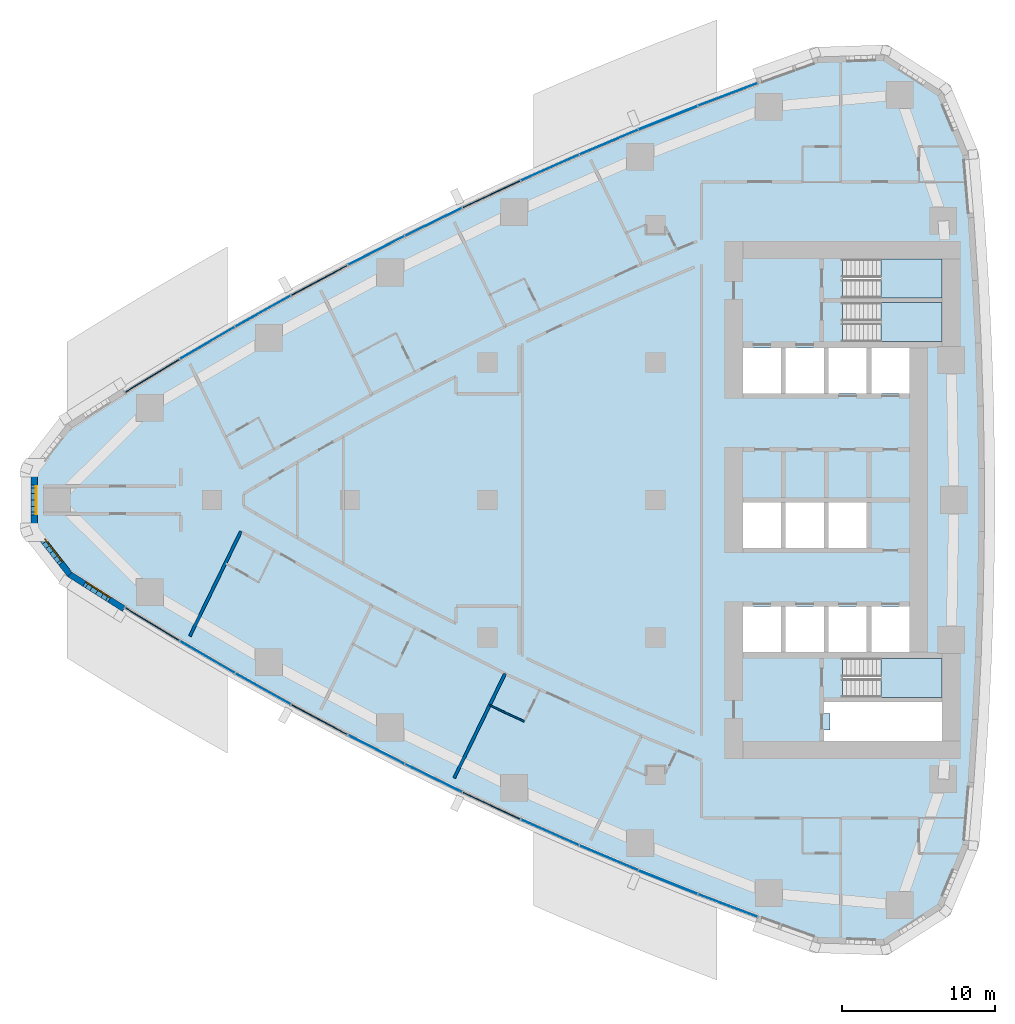
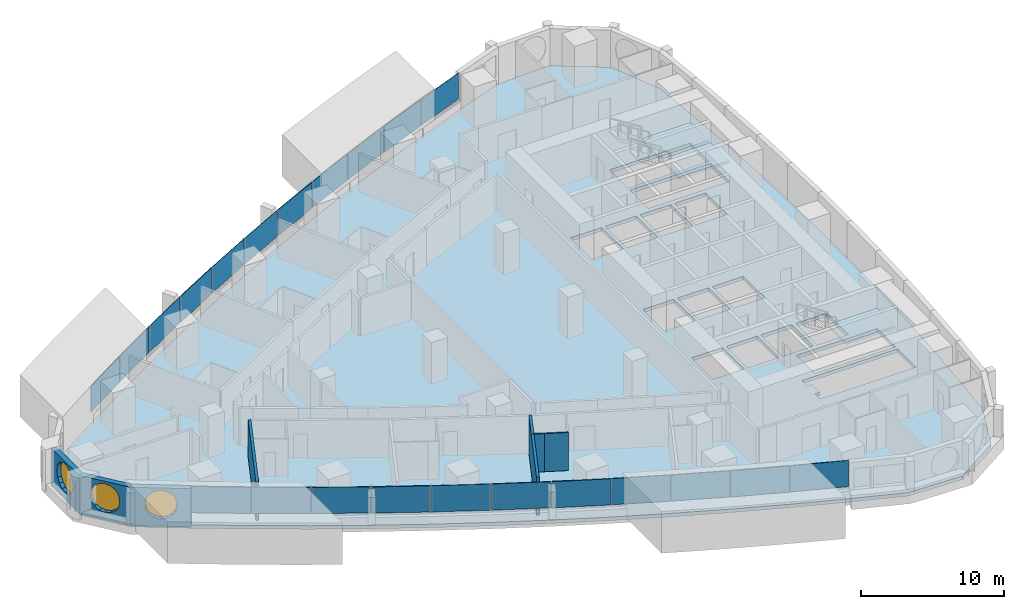
# One storey, part 8 of 19: 22 plates, 7 walls, 4 slabs, 3 windows, 4 openings, 13 elements without a shape of their own.
"""IFC4 building model written with IfcOpenShell, lengths in metres."""

from ifc_helpers import new_model, si_unit, direction, frame, frame_2d, origin, origin_2d, place, context, subcontext, project, spatial, polyline, rectangle, outline, extrude, material, layer, layer_set, type_object, element, fill, aggregate, save


model = new_model("IFC4")

# Units and contexts
model_context = context("Model", 3, precision=1e-05, world=origin(), true_north=direction((0.0, 1.0)))
body_context = subcontext(model_context, "Body", "Model", "MODEL_VIEW")
ifc_project = project(units=[si_unit("LENGTHUNIT", "METRE"), si_unit("AREAUNIT", "SQUARE_METRE"), si_unit("VOLUMEUNIT", "CUBIC_METRE"), si_unit("PLANEANGLEUNIT", "RADIAN"), si_unit("MASSUNIT", "GRAM", prefix="KILO")], contexts=[model_context])

# Site, building, storey
site_placement = place(None, origin())
site = spatial("IfcSite", under=ifc_project, at=site_placement, CompositionType="ELEMENT")
building_placement = place(site_placement, origin())
building = spatial("IfcBuilding", under=site, at=building_placement, Name="Ostrand Prow Hotel Tower", CompositionType="ELEMENT")
storey_placement = place(building_placement, frame((0.0, 0.0, 60.89990234375)))
storey = spatial("IfcBuildingStorey", under=building, at=storey_placement, Name="L13", CompositionType="ELEMENT", Elevation=60.89990234375)

# Curtain wall, plate
ifc_material_1 = material(Name="Insulated glass in bronze anodised frame", Category="glass")
ifc_layer_1 = layer(ifc_material_1, 0.199951171875)
ifc_layer_set_1 = layer_set([ifc_layer_1], Name="Insulated glass in bronze anodised frame")
curtain_wall_type = type_object("IfcCurtainWallType", Name="Strip curtain wall, fritted glass over bronze spandrel", PredefinedType="NOTDEFINED", material=ifc_layer_set_1)
curtain_wall_1_placement = place(storey_placement, origin())
curtain_wall_1 = element("IfcCurtainWall", 1, at=curtain_wall_1_placement, inside=storey, type_object=curtain_wall_type, Name="CW1 run CWS1", PredefinedType="NOTDEFINED")
ifc_material_2 = material(Name="Ceramic-fritted glass", Category="glass")
ifc_layer_2 = layer(ifc_material_2, 0.031982421875)
ifc_layer_set_2 = layer_set([ifc_layer_2], Name="Ceramic-fritted glass")
plate_type_1 = type_object("IfcPlateType", Name="Dot-fritted ceramic glass unit 32 mm", PredefinedType="CURTAIN_PANEL", material=ifc_layer_set_2)
plate_1_placement = place(storey_placement, frame((15.688720703125, -10.268798828125, 1.02001953125), z_axis=(0.0, 0.0, 1.0), x_axis=(0.863690392896, -0.50402272292, 0.0)))
plate_1 = element("IfcPlate", 2, at=plate_1_placement, type_object=plate_type_1, Name="CW1 PN-D panel 2.2", PredefinedType="CURTAIN_PANEL", context=body_context, shape_type="SweptSolid", body=[
    extrude(rectangle(XDim=4.13427734375, YDim=0.031982421875, at=origin_2d()), origin(), (0.0, 0.0, 1.0), 2.22998046875),
])

# Curtain wall, plates
curtain_wall_2_placement = place(storey_placement, origin())
curtain_wall_2 = element("IfcCurtainWall", 3, at=curtain_wall_2_placement, inside=storey, type_object=curtain_wall_type, Name="CW1 run CWS2", PredefinedType="NOTDEFINED")
plate_2_placement = place(storey_placement, frame((19.33056640625, -12.349365234375, 1.02001953125), z_axis=(0.0, 0.0, 1.0), x_axis=(0.872819029241, -0.488043996167, 0.0)))
plate_2 = element("IfcPlate", 4, at=plate_2_placement, type_object=plate_type_1, Name="CW1 PN-D panel 1.2", PredefinedType="CURTAIN_PANEL", context=body_context, shape_type="SweptSolid", body=[
    extrude(rectangle(XDim=4.13427734375, YDim=0.031982421875, at=origin_2d()), origin(), (0.0, 0.0, 1.0), 2.22998046875),
])
plate_3_placement = place(storey_placement, frame((26.7255859375, -16.3076171875, 1.02001953125), z_axis=(0.0, 0.0, 1.0), x_axis=(0.890186565631, -0.455596179055, 0.0)))
plate_3 = element("IfcPlate", 5, at=plate_3_placement, type_object=plate_type_1, Name="CW1 PN-D panel 3.2", PredefinedType="CURTAIN_PANEL", context=body_context, shape_type="SweptSolid", body=[
    extrude(rectangle(XDim=4.13427734375, YDim=0.031982421875, at=origin_2d()), origin(), (0.0, 0.0, 1.0), 2.22998046875),
])

# Curtain wall, plate
curtain_wall_3_placement = place(storey_placement, origin())
curtain_wall_3 = element("IfcCurtainWall", 6, at=curtain_wall_3_placement, inside=storey, type_object=curtain_wall_type, Name="CW1 run CWS3", PredefinedType="NOTDEFINED")
plate_4_placement = place(storey_placement, frame((30.4765625, -18.183837890625, 1.02001953125), z_axis=(0.0, 0.0, 1.0), x_axis=(0.898419584131, -0.439138077204, 0.0)))
plate_4 = element("IfcPlate", 7, at=plate_4_placement, type_object=plate_type_1, Name="CW1 PN-D panel 1.2", PredefinedType="CURTAIN_PANEL", context=body_context, shape_type="SweptSolid", body=[
    extrude(rectangle(XDim=4.13427734375, YDim=0.031982421875, at=origin_2d()), origin(), (0.0, 0.0, 1.0), 2.22998046875),
])

# Curtain wall, plates
curtain_wall_4_placement = place(storey_placement, origin())
curtain_wall_4 = element("IfcCurtainWall", 8, at=curtain_wall_4_placement, inside=storey, type_object=curtain_wall_type, Name="CW1 run CWS4", PredefinedType="NOTDEFINED")
plate_5_placement = place(storey_placement, frame((38.078857421875, -21.72802734375, 1.02001953125), z_axis=(0.0, 0.0, 1.0), x_axis=(0.913970890274, -0.405779757666, 0.0)))
plate_5 = element("IfcPlate", 9, at=plate_5_placement, type_object=plate_type_1, Name="CW1 PN-D panel 1.2", PredefinedType="CURTAIN_PANEL", context=body_context, shape_type="SweptSolid", body=[
    extrude(rectangle(XDim=4.13427734375, YDim=0.031982421875, at=origin_2d()), origin(), (0.0, 0.0, 1.0), 2.22998046875),
])
plate_6_placement = place(storey_placement, frame((41.927490234375, -23.39453125, 1.02001953125), z_axis=(0.0, 0.0, 1.0), x_axis=(0.921283173987, -0.388892418709, 0.0)))
plate_6 = element("IfcPlate", 10, at=plate_6_placement, type_object=plate_type_1, Name="CW1 PN-D panel 2.2", PredefinedType="CURTAIN_PANEL", context=body_context, shape_type="SweptSolid", body=[
    extrude(rectangle(XDim=4.13427734375, YDim=0.031982421875, at=origin_2d()), origin(), (0.0, 0.0, 1.0), 2.22998046875),
])
aggregate(curtain_wall_4, [plate_5, plate_6])

# Curtain wall, plate
curtain_wall_5_placement = place(storey_placement, origin())
curtain_wall_5 = element("IfcCurtainWall", 11, at=curtain_wall_5_placement, inside=storey, type_object=curtain_wall_type, Name="CW1 run CWS5", PredefinedType="NOTDEFINED")
plate_7_placement = place(storey_placement, frame((49.7138671875, -26.513671875, 1.02001953125), z_axis=(0.0, 0.0, 1.0), x_axis=(0.934969388384, -0.354728407072, 0.0)))
plate_7 = element("IfcPlate", 12, at=plate_7_placement, type_object=plate_type_1, Name="CW1 PN-D panel 2.2", PredefinedType="CURTAIN_PANEL", context=body_context, shape_type="SweptSolid", body=[
    extrude(rectangle(XDim=4.13427734375, YDim=0.031982421875, at=origin_2d()), origin(), (0.0, 0.0, 1.0), 2.22998046875),
])

curtain_wall_6_placement = place(storey_placement, origin())
curtain_wall_6 = element("IfcCurtainWall", 13, at=curtain_wall_6_placement, inside=storey, type_object=curtain_wall_type, Name="CW1 run CWN1", PredefinedType="NOTDEFINED")
plate_8_placement = place(storey_placement, frame((49.7138671875, 26.513671875, 1.02001953125), z_axis=(0.0, 0.0, 1.0), x_axis=(-0.934969388384, -0.354728407072, 0.0)))
plate_8 = element("IfcPlate", 14, at=plate_8_placement, type_object=plate_type_1, Name="CW1 PN-D panel 1.2", PredefinedType="CURTAIN_PANEL", context=body_context, shape_type="SweptSolid", body=[
    extrude(rectangle(XDim=4.13427734375, YDim=0.031982421875, at=origin_2d()), origin(), (0.0, 0.0, 1.0), 2.22998046875),
])

# Curtain wall, plates
curtain_wall_7_placement = place(storey_placement, origin())
curtain_wall_7 = element("IfcCurtainWall", 15, at=curtain_wall_7_placement, inside=storey, type_object=curtain_wall_type, Name="CW1 run CWN2", PredefinedType="NOTDEFINED")
plate_9_placement = place(storey_placement, frame((41.927490234375, 23.39453125, 1.02001953125), z_axis=(0.0, 0.0, 1.0), x_axis=(-0.921283173987, -0.388892418709, 0.0)))
plate_9 = element("IfcPlate", 16, at=plate_9_placement, type_object=plate_type_1, Name="CW1 PN-D panel 1.2", PredefinedType="CURTAIN_PANEL", context=body_context, shape_type="SweptSolid", body=[
    extrude(rectangle(XDim=4.13427734375, YDim=0.031982421875, at=origin_2d()), origin(), (0.0, 0.0, 1.0), 2.22998046875),
])
plate_10_placement = place(storey_placement, frame((38.078857421875, 21.72802734375, 1.02001953125), z_axis=(0.0, 0.0, 1.0), x_axis=(-0.913970890274, -0.405779757666, 0.0)))
plate_10 = element("IfcPlate", 17, at=plate_10_placement, type_object=plate_type_1, Name="CW1 PN-D panel 2.2", PredefinedType="CURTAIN_PANEL", context=body_context, shape_type="SweptSolid", body=[
    extrude(rectangle(XDim=4.13427734375, YDim=0.031982421875, at=origin_2d()), origin(), (0.0, 0.0, 1.0), 2.22998046875),
])
aggregate(curtain_wall_7, [plate_9, plate_10])

# Curtain wall, plate
curtain_wall_8_placement = place(storey_placement, origin())
curtain_wall_8 = element("IfcCurtainWall", 18, at=curtain_wall_8_placement, inside=storey, type_object=curtain_wall_type, Name="CW1 run CWN3", PredefinedType="NOTDEFINED")
plate_11_placement = place(storey_placement, frame((30.4765625, 18.183837890625, 1.02001953125), z_axis=(0.0, 0.0, 1.0), x_axis=(-0.898419584131, -0.439138077204, 0.0)))
plate_11 = element("IfcPlate", 19, at=plate_11_placement, type_object=plate_type_1, Name="CW1 PN-D panel 2.2", PredefinedType="CURTAIN_PANEL", context=body_context, shape_type="SweptSolid", body=[
    extrude(rectangle(XDim=4.13427734375, YDim=0.031982421875, at=origin_2d()), origin(), (0.0, 0.0, 1.0), 2.22998046875),
])

# Curtain wall, plates
curtain_wall_9_placement = place(storey_placement, origin())
curtain_wall_9 = element("IfcCurtainWall", 20, at=curtain_wall_9_placement, inside=storey, type_object=curtain_wall_type, Name="CW1 run CWN4", PredefinedType="NOTDEFINED")
plate_12_placement = place(storey_placement, frame((26.7255859375, 16.3076171875, 1.02001953125), z_axis=(0.0, 0.0, 1.0), x_axis=(-0.890186565631, -0.455596179055, 0.0)))
plate_12 = element("IfcPlate", 21, at=plate_12_placement, type_object=plate_type_1, Name="CW1 PN-D panel 1.2", PredefinedType="CURTAIN_PANEL", context=body_context, shape_type="SweptSolid", body=[
    extrude(rectangle(XDim=4.13427734375, YDim=0.031982421875, at=origin_2d()), origin(), (0.0, 0.0, 1.0), 2.22998046875),
])
plate_13_placement = place(storey_placement, frame((19.33056640625, 12.349365234375, 1.02001953125), z_axis=(0.0, 0.0, 1.0), x_axis=(-0.872819029241, -0.488043996167, 0.0)))
plate_13 = element("IfcPlate", 22, at=plate_13_placement, type_object=plate_type_1, Name="CW1 PN-D panel 3.2", PredefinedType="CURTAIN_PANEL", context=body_context, shape_type="SweptSolid", body=[
    extrude(rectangle(XDim=4.13427734375, YDim=0.031982421875, at=origin_2d()), origin(), (0.0, 0.0, 1.0), 2.22998046875),
])

# Curtain wall, plate
curtain_wall_10_placement = place(storey_placement, origin())
curtain_wall_10 = element("IfcCurtainWall", 23, at=curtain_wall_10_placement, inside=storey, type_object=curtain_wall_type, Name="CW1 run CWN5", PredefinedType="NOTDEFINED")
plate_14_placement = place(storey_placement, frame((15.688720703125, 10.268798828125, 1.02001953125), z_axis=(0.0, 0.0, 1.0), x_axis=(-0.863690392896, -0.50402272292, 0.0)))
plate_14 = element("IfcPlate", 24, at=plate_14_placement, type_object=plate_type_1, Name="CW1 PN-D panel 1.2", PredefinedType="CURTAIN_PANEL", context=body_context, shape_type="SweptSolid", body=[
    extrude(rectangle(XDim=4.13427734375, YDim=0.031982421875, at=origin_2d()), origin(), (0.0, 0.0, 1.0), 2.22998046875),
])

# Plate
ifc_material_3 = material(Name="Fritted glass in bronze vent frame", Category="glass")
ifc_layer_3 = layer(ifc_material_3, 0.06005859375)
ifc_layer_set_3 = layer_set([ifc_layer_3], Name="Fritted glass in bronze vent frame")
plate_type_2 = type_object("IfcPlateType", Name="Operable vent panel 60 mm", PredefinedType="CURTAIN_PANEL", material=ifc_layer_set_3)
plate_15_placement = place(storey_placement, frame((12.0859375, -8.12158203125, 1.02001953125), z_axis=(0.0, 0.0, 1.0), x_axis=(0.854269266322, -0.519830761515, 0.0)))
plate_15 = element("IfcPlate", 25, at=plate_15_placement, type_object=plate_type_2, Name="CW1 PN-O panel 1.2", PredefinedType="CURTAIN_PANEL", context=body_context, shape_type="SweptSolid", body=[
    extrude(rectangle(XDim=4.13427734375, YDim=0.06005859375, at=origin_2d()), origin(), (0.0, 0.0, 1.0), 2.22998046875),
])

aggregate(curtain_wall_1, [plate_15, plate_1])

plate_16_placement = place(storey_placement, frame((23.009765625, -14.362548828125, 1.02001953125), z_axis=(0.0, 0.0, 1.0), x_axis=(0.881652083929, -0.471899992481, 0.0)))
plate_16 = element("IfcPlate", 26, at=plate_16_placement, type_object=plate_type_2, Name="CW1 PN-O panel 2.2", PredefinedType="CURTAIN_PANEL", context=body_context, shape_type="SweptSolid", body=[
    extrude(rectangle(XDim=4.13427734375, YDim=0.06005859375, at=origin_2d()), origin(), (0.0, 0.0, 1.0), 2.22998046875),
])

aggregate(curtain_wall_2, [plate_2, plate_16, plate_3])

plate_17_placement = place(storey_placement, frame((34.26123046875, -19.990966796875, 1.02001953125), z_axis=(0.0, 0.0, 1.0), x_axis=(0.906349088757, -0.422529678615, 0.0)))
plate_17 = element("IfcPlate", 27, at=plate_17_placement, type_object=plate_type_2, Name="CW1 PN-O panel 2.2", PredefinedType="CURTAIN_PANEL", context=body_context, shape_type="SweptSolid", body=[
    extrude(rectangle(XDim=4.13427734375, YDim=0.06005859375, at=origin_2d()), origin(), (0.0, 0.0, 1.0), 2.22998046875),
])

aggregate(curtain_wall_3, [plate_4, plate_17])

plate_18_placement = place(storey_placement, frame((45.806396484375, -24.989990234375, 1.02001953125), z_axis=(0.0, 0.0, 1.0), x_axis=(0.928283463577, -0.371873380669, 0.0)))
plate_18 = element("IfcPlate", 28, at=plate_18_placement, type_object=plate_type_2, Name="CW1 PN-O panel 1.2", PredefinedType="CURTAIN_PANEL", context=body_context, shape_type="SweptSolid", body=[
    extrude(rectangle(XDim=4.13427734375, YDim=0.06005859375, at=origin_2d()), origin(), (0.0, 0.0, 1.0), 2.22998046875),
])

aggregate(curtain_wall_5, [plate_18, plate_7])

plate_19_placement = place(storey_placement, frame((45.806396484375, 24.989990234375, 1.02001953125), z_axis=(0.0, 0.0, 1.0), x_axis=(-0.928283463577, -0.371873380669, 0.0)))
plate_19 = element("IfcPlate", 29, at=plate_19_placement, type_object=plate_type_2, Name="CW1 PN-O panel 2.2", PredefinedType="CURTAIN_PANEL", context=body_context, shape_type="SweptSolid", body=[
    extrude(rectangle(XDim=4.13427734375, YDim=0.06005859375, at=origin_2d()), origin(), (0.0, 0.0, 1.0), 2.22998046875),
])

aggregate(curtain_wall_6, [plate_8, plate_19])

plate_20_placement = place(storey_placement, frame((34.26123046875, 19.990966796875, 1.02001953125), z_axis=(0.0, 0.0, 1.0), x_axis=(-0.906349088757, -0.422529678615, 0.0)))
plate_20 = element("IfcPlate", 30, at=plate_20_placement, type_object=plate_type_2, Name="CW1 PN-O panel 1.2", PredefinedType="CURTAIN_PANEL", context=body_context, shape_type="SweptSolid", body=[
    extrude(rectangle(XDim=4.13427734375, YDim=0.06005859375, at=origin_2d()), origin(), (0.0, 0.0, 1.0), 2.22998046875),
])

aggregate(curtain_wall_8, [plate_20, plate_11])

plate_21_placement = place(storey_placement, frame((23.009765625, 14.362548828125, 1.02001953125), z_axis=(0.0, 0.0, 1.0), x_axis=(-0.881652083929, -0.471899992481, 0.0)))
plate_21 = element("IfcPlate", 31, at=plate_21_placement, type_object=plate_type_2, Name="CW1 PN-O panel 2.2", PredefinedType="CURTAIN_PANEL", context=body_context, shape_type="SweptSolid", body=[
    extrude(rectangle(XDim=4.13427734375, YDim=0.06005859375, at=origin_2d()), origin(), (0.0, 0.0, 1.0), 2.22998046875),
])

aggregate(curtain_wall_9, [plate_12, plate_21, plate_13])

plate_22_placement = place(storey_placement, frame((12.0859375, 8.12158203125, 1.02001953125), z_axis=(0.0, 0.0, 1.0), x_axis=(-0.854269266322, -0.519830761515, 0.0)))
plate_22 = element("IfcPlate", 32, at=plate_22_placement, type_object=plate_type_2, Name="CW1 PN-O panel 2.2", PredefinedType="CURTAIN_PANEL", context=body_context, shape_type="SweptSolid", body=[
    extrude(rectangle(XDim=4.13427734375, YDim=0.06005859375, at=origin_2d()), origin(), (0.0, 0.0, 1.0), 2.22998046875),
])

aggregate(curtain_wall_10, [plate_14, plate_22])

# Slab, opening
ifc_material_4 = material(Name="Concrete C40/50", Category="concrete")
ifc_layer_4 = layer(ifc_material_4, 0.300048828125)
ifc_layer_set_4 = layer_set([ifc_layer_4], Name="Concrete C40/50")
slab_type_1 = type_object("IfcSlabType", Name="PT flat plate 300 C40/50", PredefinedType="FLOOR", material=ifc_layer_set_4)
slab_1_placement = place(storey_placement, frame((0.0, 0.0, -0.2998046875)))
slab_1 = element("IfcSlab", 33, at=slab_1_placement, inside=storey, type_object=slab_type_1, Name="Floor slab L13-1", PredefinedType="FLOOR", context=body_context, shape_type="SweptSolid", body=[
    extrude(outline(polyline([(6.690673828125, 4.805908203125), (10.26806640625, 7.073974609375), (13.851806640625, 9.2548828125), (17.47509765625, 11.369384765625), (21.136962890625, 13.416748046875), (24.83544921875, 15.396484375), (28.570068359375, 17.3076171875), (32.339111328125, 19.14990234375), (36.141357421875, 20.922607421875), (39.9755859375, 22.625), (43.840576171875, 24.25634765625), (47.73486328125, 25.81640625), (51.6572265625, 27.3046875), (55.64111328125, 28.73291015625), (59.92333984375, 28.873046875), (63.55908203125, 26.53369140625), (65.2060546875, 22.578369140625), (65.552978515625, 18.45166015625), (65.828369140625, 14.356689453125), (66.034912109375, 10.2578125), (66.172607421875, 6.15576171875), (66.241455078125, 2.052001953125), (66.241455078125, -2.052001953125), (66.172607421875, -6.15576171875), (66.034912109375, -10.2578125), (65.828369140625, -14.356689453125), (65.552978515625, -18.45166015625), (65.2060546875, -22.578369140625), (63.55908203125, -26.53369140625), (59.92333984375, -28.873046875), (55.64111328125, -28.73291015625), (51.6572265625, -27.3046875), (47.73486328125, -25.81640625), (43.840576171875, -24.25634765625), (39.9755859375, -22.625), (36.141357421875, -20.922607421875), (32.339111328125, -19.14990234375), (28.570068359375, -17.3076171875), (24.83544921875, -15.396484375), (21.136962890625, -13.416748046875), (17.47509765625, -11.369384765625), (13.851806640625, -9.2548828125), (10.26806640625, -7.073974609375), (6.690673828125, -4.805908203125), (4.399169921875, -1.8798828125), (4.399169921875, 1.8798828125), (6.690673828125, 4.805908203125)]), holes=[polyline([(50.699951171875, 6.949951171875), (53.199951171875, 6.949951171875), (53.199951171875, 9.949951171875), (50.699951171875, 9.949951171875), (50.699951171875, 6.949951171875)]), polyline([(53.5, 6.949951171875), (56.0, 6.949951171875), (56.0, 9.949951171875), (53.5, 9.949951171875), (53.5, 6.949951171875)]), polyline([(56.300048828125, 6.949951171875), (58.800048828125, 6.949951171875), (58.800048828125, 9.949951171875), (56.300048828125, 9.949951171875), (56.300048828125, 6.949951171875)]), polyline([(59.10009765625, 6.949951171875), (61.60009765625, 6.949951171875), (61.60009765625, 9.949951171875), (59.10009765625, 9.949951171875), (59.10009765625, 6.949951171875)]), polyline([(50.699951171875, -3.14990234375), (53.199951171875, -3.14990234375), (53.199951171875, -0.14990234375), (50.699951171875, -0.14990234375), (50.699951171875, -3.14990234375)]), polyline([(53.5, -3.14990234375), (56.0, -3.14990234375), (56.0, -0.14990234375), (53.5, -0.14990234375), (53.5, -3.14990234375)]), polyline([(56.300048828125, -3.14990234375), (58.800048828125, -3.14990234375), (58.800048828125, -0.14990234375), (56.300048828125, -0.14990234375), (56.300048828125, -3.14990234375)]), polyline([(50.699951171875, -9.949951171875), (53.199951171875, -9.949951171875), (53.199951171875, -6.949951171875), (50.699951171875, -6.949951171875), (50.699951171875, -9.949951171875)]), polyline([(53.5, -9.949951171875), (56.0, -9.949951171875), (56.0, -6.949951171875), (53.5, -6.949951171875), (53.5, -9.949951171875)]), polyline([(56.300048828125, -9.949951171875), (58.800048828125, -9.949951171875), (58.800048828125, -6.949951171875), (56.300048828125, -6.949951171875), (56.300048828125, -9.949951171875)]), polyline([(59.10009765625, -9.949951171875), (61.60009765625, -9.949951171875), (61.60009765625, -6.949951171875), (59.10009765625, -6.949951171875), (59.10009765625, -9.949951171875)]), polyline([(57.200927734375, 10.35107421875), (57.200927734375, 12.89892578125), (63.718994140625, 12.89892578125), (63.718994140625, 10.35107421875), (57.200927734375, 10.35107421875)]), polyline([(57.200927734375, 13.200927734375), (57.200927734375, 15.7490234375), (63.718994140625, 15.7490234375), (63.718994140625, 13.200927734375), (57.200927734375, 13.200927734375)]), polyline([(57.200927734375, -12.89892578125), (57.200927734375, -10.35107421875), (63.718994140625, -10.35107421875), (63.718994140625, -12.89892578125), (57.200927734375, -12.89892578125)]), polyline([(56.0, -13.199951171875), (63.719970703125, -13.199951171875), (63.719970703125, -15.75), (56.0, -15.75), (56.0, -15.050048828125), (56.39990234375, -15.050048828125), (56.39990234375, -13.949951171875), (56.0, -13.949951171875), (56.0, -13.199951171875)])]), origin(), (0.0, 0.0, 1.0), 0.2998046875),
])
opening_1_placement = place(slab_1_placement, origin())
element("IfcOpeningElement", 34, at=opening_1_placement, cuts=slab_1, Name="Shaft opening 1", PredefinedType="OPENING", context=body_context, shape_type="SweptSolid", body=[
    extrude(outline(polyline([(56.0, -13.199951171875), (63.719970703125, -13.199951171875), (63.719970703125, -15.75), (56.0, -15.75), (56.0, -15.050048828125), (56.39990234375, -15.050048828125), (56.39990234375, -13.949951171875), (56.0, -13.949951171875), (56.0, -13.199951171875)])), origin(), (0.0, 0.0, 1.0), 0.2998046875),
])

# Stair, slab
ifc_material_5 = material(Name="Concrete C40/50", Category="concrete")
stair_type = type_object("IfcStairType", Name="Exit stair 1200 upper zone", PredefinedType="HALF_TURN_STAIR", material=ifc_material_5)
stair_1_placement = place(storey_placement, origin())
stair_1 = element("IfcStair", 35, at=stair_1_placement, inside=storey, type_object=stair_type, Name="L13 ST1C", PredefinedType="HALF_TURN_STAIR")
ifc_material_6 = material(Name="Concrete C40/50", Category="concrete")
ifc_layer_5 = layer(ifc_material_6, 0.199951171875)
ifc_layer_set_5 = layer_set([ifc_layer_5], Name="Concrete C40/50")
slab_type_2 = type_object("IfcSlabType", Name="Stair landing 200 concrete", PredefinedType="LANDING", material=ifc_layer_set_5)
slab_2_placement = place(storey_placement, frame((0.0, 0.0, 1.5751953125)))
slab_2 = element("IfcSlab", 36, at=slab_2_placement, type_object=slab_type_2, Name="ST1C landing 1", PredefinedType="LANDING", context=body_context, shape_type="SweptSolid", body=[
    extrude(outline(polyline([(59.719970703125, 10.35009765625), (63.719970703125, 10.35009765625), (63.719970703125, 12.89990234375), (59.719970703125, 12.89990234375), (59.719970703125, 10.35009765625)])), origin(), (0.0, 0.0, 1.0), 0.199951171875),
])
aggregate(stair_1, [slab_2])

stair_2_placement = place(storey_placement, origin())
stair_2 = element("IfcStair", 37, at=stair_2_placement, inside=storey, type_object=stair_type, Name="L13 ST3C", PredefinedType="HALF_TURN_STAIR")
slab_3_placement = place(storey_placement, frame((0.0, 0.0, 1.5751953125)))
slab_3 = element("IfcSlab", 38, at=slab_3_placement, type_object=slab_type_2, Name="ST3C landing 1", PredefinedType="LANDING", context=body_context, shape_type="SweptSolid", body=[
    extrude(outline(polyline([(59.719970703125, 13.199951171875), (63.719970703125, 13.199951171875), (63.719970703125, 15.75), (59.719970703125, 15.75), (59.719970703125, 13.199951171875)])), origin(), (0.0, 0.0, 1.0), 0.199951171875),
])
aggregate(stair_2, [slab_3])

stair_3_placement = place(storey_placement, origin())
stair_3 = element("IfcStair", 39, at=stair_3_placement, inside=storey, type_object=stair_type, Name="L13 ST2C", PredefinedType="HALF_TURN_STAIR")
slab_4_placement = place(storey_placement, frame((0.0, 0.0, 1.5751953125)))
slab_4 = element("IfcSlab", 40, at=slab_4_placement, type_object=slab_type_2, Name="ST2C landing 1", PredefinedType="LANDING", context=body_context, shape_type="SweptSolid", body=[
    extrude(outline(polyline([(59.719970703125, -12.89990234375), (63.719970703125, -12.89990234375), (63.719970703125, -10.35009765625), (59.719970703125, -10.35009765625), (59.719970703125, -12.89990234375)])), origin(), (0.0, 0.0, 1.0), 0.199951171875),
])
aggregate(stair_3, [slab_4])

# Walls
ifc_material_7 = material(Name="Plasterboard partition")
ifc_layer_6 = layer(ifc_material_7, 0.10009765625)
ifc_layer_set_6 = layer_set([ifc_layer_6], Name="Plasterboard partition")
wall_type_1 = type_object("IfcWallType", Name="Partition 100 bathroom wall", PredefinedType="PARTITIONING", material=ifc_layer_set_6)
wall_1_placement = place(storey_placement, frame((36.407958984375, -14.48193359375, 0.0), z_axis=(0.0, 0.0, 1.0), x_axis=(-0.906434605418, 0.422346192242, 0.0)))
element("IfcWall", 41, at=wall_1_placement, inside=storey, type_object=wall_type_1, Name="BATHROOM WALL", PredefinedType="PARTITIONING", context=body_context, shape_type="SweptSolid", body=[
    extrude(rectangle(XDim=1.66064453125, YDim=0.10009765625, at=frame_2d((0.830322265625, 0.0))), origin(), (0.0, 0.0, 1.0), 3.25),
])
wall_2_placement = place(storey_placement, frame((34.902587890625, -13.780517578125, 0.0), z_axis=(0.0, 0.0, 1.0), x_axis=(-0.89828999443, 0.43940310184, 0.0)))
element("IfcWall", 42, at=wall_2_placement, inside=storey, type_object=wall_type_1, Name="BATHROOM WALL", PredefinedType="PARTITIONING", context=body_context, shape_type="SweptSolid", body=[
    extrude(rectangle(XDim=0.839599609375, YDim=0.10009765625, at=frame_2d((0.419921875, 0.0))), origin(), (0.0, 0.0, 1.0), 3.25),
])
ifc_material_8 = material(Name="Plasterboard partition")
ifc_layer_7 = layer(ifc_material_8, 0.199951171875)
ifc_layer_set_7 = layer_set([ifc_layer_7], Name="Plasterboard partition")
wall_type_2 = type_object("IfcWallType", Name="Partition 200 key partition", PredefinedType="PARTITIONING", material=ifc_layer_set_7)
wall_3_placement = place(storey_placement, frame((14.540771484375, -8.904296875, 0.0), z_axis=(0.0, 0.0, 1.0), x_axis=(0.438213564788, 0.898870887078, 0.0)))
element("IfcWall", 43, at=wall_3_placement, inside=storey, type_object=wall_type_2, Name="KEY PARTITION", PredefinedType="PARTITIONING", context=body_context, shape_type="SweptSolid", body=[
    extrude(rectangle(XDim=7.62548828125, YDim=0.199951171875, at=frame_2d((3.812744140625, 0.0))), origin(), (0.0, 0.0, 1.0), 3.25),
])
wall_4_placement = place(storey_placement, frame((31.825927734375, -18.17578125, 0.0), z_axis=(0.0, 0.0, 1.0), x_axis=(0.438196407286, 0.898879251425, 0.0)))
element("IfcWall", 44, at=wall_4_placement, inside=storey, type_object=wall_type_2, Name="KEY PARTITION", PredefinedType="PARTITIONING", context=body_context, shape_type="SweptSolid", body=[
    extrude(rectangle(XDim=7.60009765625, YDim=0.199951171875, at=frame_2d((3.800048828125, 0.0))), origin(), (0.0, 0.0, 1.0), 3.25),
])

# Wall, opening, window
ifc_material_9 = material(Name="Precast concrete C40/50", Category="concrete")
ifc_layer_8 = layer(ifc_material_9, 0.39990234375)
ifc_layer_set_8 = layer_set([ifc_layer_8], Name="Precast concrete C40/50")
wall_type_3 = type_object("IfcWallType", Name="Stone-faced precast wall 400 mm", PredefinedType="NOTDEFINED", material=ifc_layer_set_8)
wall_5_placement = place(storey_placement, frame((4.365478515625, 1.891357421875, 0.0), z_axis=(0.0, 0.0, 1.0), x_axis=(0.0, -1.0, 0.0)))
wall_5 = element("IfcWall", 45, at=wall_5_placement, inside=storey, type_object=wall_type_3, Name="Stone-faced wall prow 3", PredefinedType="NOTDEFINED", context=body_context, shape_type="SweptSolid", body=[
    extrude(outline(polyline([(-0.069091796875, -0.199951171875), (3.851806640625, -0.199951171875), (3.713623046875, 0.199951171875), (0.069091796875, 0.199951171875), (-0.069091796875, -0.199951171875)])), origin(), (0.0, 0.0, 1.0), 3.25),
])
opening_2_placement = place(wall_5_placement, frame((0.79150390625, 0.0, 0.60009765625)))
opening_2 = element("IfcOpeningElement", 46, at=opening_2_placement, cuts=wall_5, Name="Opening WP1", PredefinedType="OPENING", context=body_context, shape_type="SweptSolid", body=[
    extrude(outline(polyline([(0.0, 1.35009765625), (0.083740234375, 1.77099609375), (0.322265625, 2.127685546875), (0.678955078125, 2.3662109375), (1.10009765625, 2.449951171875), (1.52099609375, 2.3662109375), (1.877685546875, 2.127685546875), (2.1162109375, 1.77099609375), (2.199951171875, 1.35009765625), (2.199951171875, 1.10009765625), (2.1162109375, 0.678955078125), (1.877685546875, 0.322265625), (1.52099609375, 0.083740234375), (1.10009765625, 0.0), (0.678955078125, 0.083740234375), (0.322265625, 0.322265625), (0.083740234375, 0.678955078125), (0.0, 1.099853515625), (0.0, 1.35009765625)])), frame((0.0, 0.2099609375, 0.0), z_axis=(0.0, -1.0, 0.0), x_axis=(1.0, 0.0, 0.0)), (0.0, 0.0, 1.0), 0.419921875),
])
ifc_material_10 = material(Name="Insulated glass in bronze frame", Category="glass")
window_type = type_object("IfcWindowType", Name="Round-ended prow window 2200x2450", PartitioningType="SINGLE_PANEL", PredefinedType="WINDOW", material=ifc_material_10)
window_1_placement = place(opening_2_placement, origin())
window_1 = element("IfcWindow", 47, at=window_1_placement, inside=storey, type_object=window_type, Name="Window prow 3.1", OverallHeight=2.449951171875, OverallWidth=2.199951171875, PartitioningType="SINGLE_PANEL", PredefinedType="WINDOW", context=body_context, shape_type="SweptSolid", body=[
    extrude(outline(polyline([(0.0, 1.35009765625), (0.083740234375, 1.77099609375), (0.322265625, 2.127685546875), (0.678955078125, 2.3662109375), (1.10009765625, 2.449951171875), (1.52099609375, 2.3662109375), (1.877685546875, 2.127685546875), (2.1162109375, 1.77099609375), (2.199951171875, 1.35009765625), (2.199951171875, 1.10009765625), (2.1162109375, 0.678955078125), (1.877685546875, 0.322265625), (1.52099609375, 0.083740234375), (1.10009765625, 0.0), (0.678955078125, 0.083740234375), (0.322265625, 0.322265625), (0.083740234375, 0.678955078125), (0.0, 1.099853515625), (0.0, 1.35009765625)])), frame((0.0, 0.169921875, 0.0), z_axis=(0.0, -1.0, 0.0), x_axis=(1.0, 0.0, 0.0)), (0.0, 0.0, 1.0), 0.06005859375),
])
fill(opening_2, window_1)

wall_6_placement = place(storey_placement, frame((4.365478515625, -1.891357421875, 0.0), z_axis=(0.0, 0.0, 1.0), x_axis=(0.616586647779, -0.787287054245, 0.0)))
wall_6 = element("IfcWall", 48, at=wall_6_placement, inside=storey, type_object=wall_type_3, Name="Stone-faced wall prow 4", PredefinedType="NOTDEFINED", context=body_context, shape_type="SweptSolid", body=[
    extrude(outline(polyline([(-0.069091796875, -0.199951171875), (3.8173828125, -0.199951171875), (3.74853515625, 0.199951171875), (0.069091796875, 0.199951171875), (-0.069091796875, -0.199951171875)])), origin(), (0.0, 0.0, 1.0), 3.25),
])
opening_3_placement = place(wall_6_placement, frame((0.79150390625, 0.0, 0.60009765625)))
opening_3 = element("IfcOpeningElement", 49, at=opening_3_placement, cuts=wall_6, Name="Opening WP1", PredefinedType="OPENING", context=body_context, shape_type="SweptSolid", body=[
    extrude(outline(polyline([(0.0, 1.35009765625), (0.083740234375, 1.77099609375), (0.322265625, 2.127685546875), (0.678955078125, 2.3662109375), (1.10009765625, 2.449951171875), (1.52099609375, 2.3662109375), (1.877685546875, 2.127685546875), (2.1162109375, 1.77099609375), (2.199951171875, 1.35009765625), (2.199951171875, 1.10009765625), (2.1162109375, 0.678955078125), (1.877685546875, 0.322265625), (1.52099609375, 0.083740234375), (1.10009765625, 0.0), (0.678955078125, 0.083740234375), (0.322265625, 0.322265625), (0.083740234375, 0.678955078125), (0.0, 1.099853515625), (0.0, 1.35009765625)])), frame((0.0, 0.2099609375, 0.0), z_axis=(0.0, -1.0, 0.0), x_axis=(1.0, 0.0, 0.0)), (0.0, 0.0, 1.0), 0.419921875),
])
window_2_placement = place(opening_3_placement, origin())
window_2 = element("IfcWindow", 50, at=window_2_placement, inside=storey, type_object=window_type, Name="Window prow 4.1", OverallHeight=2.449951171875, OverallWidth=2.199951171875, PartitioningType="SINGLE_PANEL", PredefinedType="WINDOW", context=body_context, shape_type="SweptSolid", body=[
    extrude(outline(polyline([(0.0, 1.35009765625), (0.083740234375, 1.77099609375), (0.322265625, 2.127685546875), (0.678955078125, 2.3662109375), (1.10009765625, 2.449951171875), (1.52099609375, 2.3662109375), (1.877685546875, 2.127685546875), (2.1162109375, 1.77099609375), (2.199951171875, 1.35009765625), (2.199951171875, 1.10009765625), (2.1162109375, 0.678955078125), (1.877685546875, 0.322265625), (1.52099609375, 0.083740234375), (1.10009765625, 0.0), (0.678955078125, 0.083740234375), (0.322265625, 0.322265625), (0.083740234375, 0.678955078125), (0.0, 1.099853515625), (0.0, 1.35009765625)])), frame((0.0, 0.169921875, 0.0), z_axis=(0.0, -1.0, 0.0), x_axis=(1.0, 0.0, 0.0)), (0.0, 0.0, 1.0), 0.06005859375),
])
fill(opening_3, window_2)

wall_7_placement = place(storey_placement, frame((6.697998046875, -4.86962890625, 0.0), z_axis=(0.0, 0.0, 1.0), x_axis=(0.844551578623, -0.535474211372, 0.0)))
wall_7 = element("IfcWall", 51, at=wall_7_placement, inside=storey, type_object=wall_type_3, Name="Stone-faced wall prow 5", PredefinedType="NOTDEFINED", context=body_context, shape_type="SweptSolid", body=[
    extrude(outline(polyline([(-0.034423828125, -0.199951171875), (4.196044921875, -0.199951171875), (4.196044921875, 0.199951171875), (0.034423828125, 0.199951171875), (-0.034423828125, -0.199951171875)])), origin(), (0.0, 0.0, 1.0), 3.25),
])
opening_4_placement = place(wall_7_placement, frame((0.998046875, 0.0, 0.60009765625)))
opening_4 = element("IfcOpeningElement", 52, at=opening_4_placement, cuts=wall_7, Name="Opening WP1", PredefinedType="OPENING", context=body_context, shape_type="SweptSolid", body=[
    extrude(outline(polyline([(0.0, 1.35009765625), (0.083740234375, 1.77099609375), (0.322265625, 2.127685546875), (0.678955078125, 2.3662109375), (1.10009765625, 2.449951171875), (1.52099609375, 2.3662109375), (1.877685546875, 2.127685546875), (2.1162109375, 1.77099609375), (2.199951171875, 1.35009765625), (2.199951171875, 1.10009765625), (2.1162109375, 0.678955078125), (1.877685546875, 0.322265625), (1.52099609375, 0.083740234375), (1.10009765625, 0.0), (0.678955078125, 0.083740234375), (0.322265625, 0.322265625), (0.083740234375, 0.678955078125), (0.0, 1.099853515625), (0.0, 1.35009765625)])), frame((0.0, 0.2099609375, 0.0), z_axis=(0.0, -1.0, 0.0), x_axis=(1.0, 0.0, 0.0)), (0.0, 0.0, 1.0), 0.419921875),
])
window_3_placement = place(opening_4_placement, origin())
window_3 = element("IfcWindow", 53, at=window_3_placement, inside=storey, type_object=window_type, Name="Window prow 5.1", OverallHeight=2.449951171875, OverallWidth=2.199951171875, PartitioningType="SINGLE_PANEL", PredefinedType="WINDOW", context=body_context, shape_type="SweptSolid", body=[
    extrude(outline(polyline([(0.0, 1.35009765625), (0.083740234375, 1.77099609375), (0.322265625, 2.127685546875), (0.678955078125, 2.3662109375), (1.10009765625, 2.449951171875), (1.52099609375, 2.3662109375), (1.877685546875, 2.127685546875), (2.1162109375, 1.77099609375), (2.199951171875, 1.35009765625), (2.199951171875, 1.10009765625), (2.1162109375, 0.678955078125), (1.877685546875, 0.322265625), (1.52099609375, 0.083740234375), (1.10009765625, 0.0), (0.678955078125, 0.083740234375), (0.322265625, 0.322265625), (0.083740234375, 0.678955078125), (0.0, 1.099853515625), (0.0, 1.35009765625)])), frame((0.0, 0.169921875, 0.0), z_axis=(0.0, -1.0, 0.0), x_axis=(1.0, 0.0, 0.0)), (0.0, 0.0, 1.0), 0.06005859375),
])
fill(opening_4, window_3)

save(model, "model.ifc")
